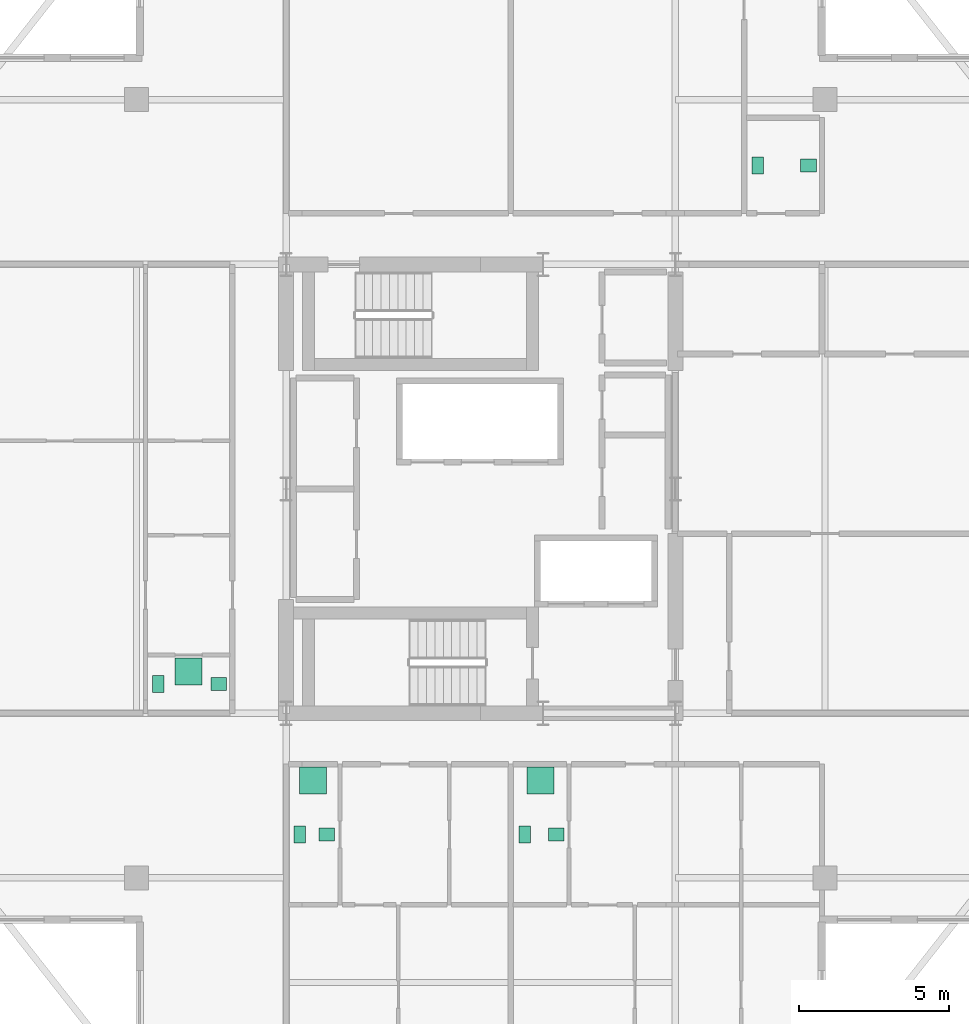
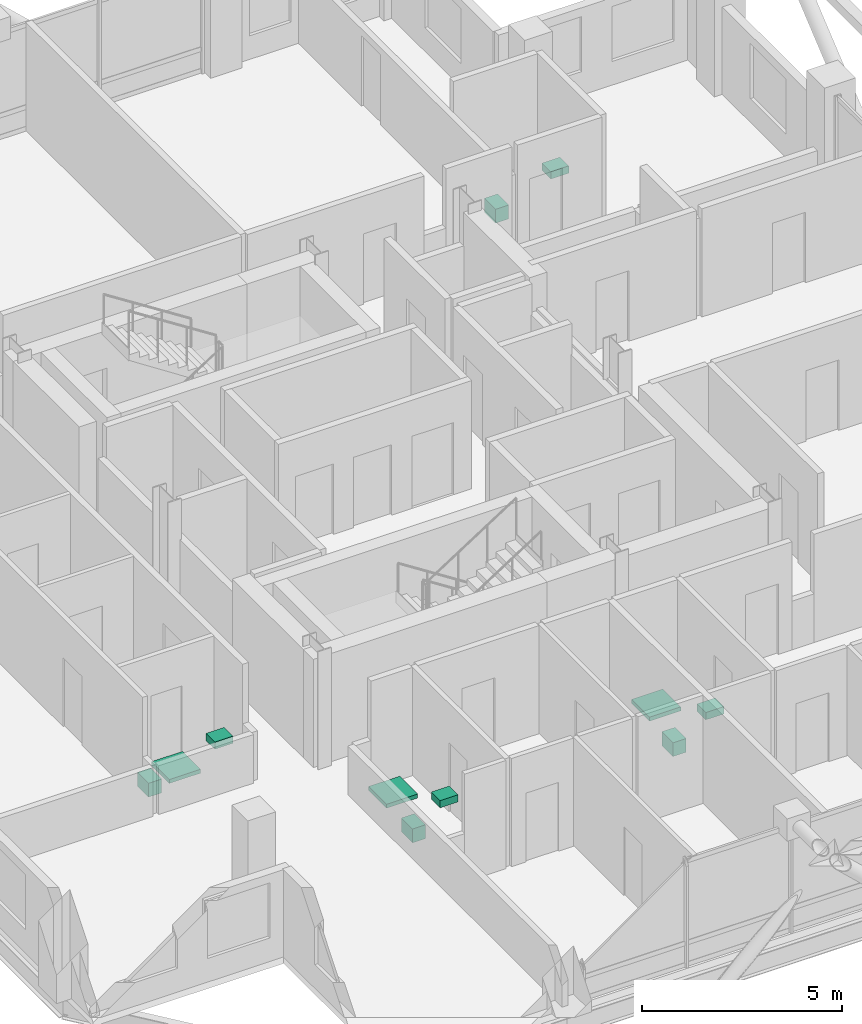
# One storey, part 25 of 25: 11 sanitary terminals.
"""IFC4 building model written with IfcOpenShell, lengths in metres."""

import ifcopenshell
import ifcopenshell.guid

model = None  # the IFC model being written
_history = None  # IfcOwnerHistory: only IFC2X3 demands one
_inside = {}  # id of a spatial element -> (the spatial element, [elements in it])
_under = {}  # id of a project, library or spatial element -> (it, [spatial elements below it])
_declared = {}  # id of a project -> (the project, [libraries it declares])
_typed = {}  # id of a type object -> (the type object, [elements of that type])
_made_of = {}  # id of a material, layer set ... -> (it, [elements and type objects made of it])


def new_model(schema):
    """Start an empty IFC model of exactly this schema.

    Asked for "IFC4X3", IfcOpenShell would pick the latest addendum, in which some entities
    have other attributes; the version numbers below select the first issue.
    IFC2X3 requires an IfcOwnerHistory on every rooted entity: one is made here for all.
    """
    global model, _history
    if schema == "IFC4X3":
        model = ifcopenshell.file(schema_version=(4, 3, 0, 0))
    else:
        model = ifcopenshell.file(schema=schema)
    _inside.clear()
    _under.clear()
    _declared.clear()
    _typed.clear()
    _made_of.clear()
    _history = None
    if model.schema == "IFC2X3":
        org = make("IfcOrganization", Name="unknown")
        user = make(
            "IfcPersonAndOrganization",
            ThePerson=make("IfcPerson", FamilyName="unknown"),
            TheOrganization=org,
        )
        app = make(
            "IfcApplication",
            ApplicationDeveloper=org,
            Version="unknown",
            ApplicationFullName="unknown",
            ApplicationIdentifier="unknown",
        )
        _history = make(
            "IfcOwnerHistory",
            OwningUser=user,
            OwningApplication=app,
            ChangeAction="ADDED",
            CreationDate=0,
        )
    return model


def make(cls, **values):
    """One entity of the class cls with the attributes given. An attribute that is None is left unset."""
    return model.create_entity(
        cls, **{name: value for name, value in values.items() if value is not None}
    )


def rooted(cls, **values):
    """An entity with a GlobalId (a new one), such as an element, a storey or a relation."""
    return make(cls, GlobalId=ifcopenshell.guid.new(), OwnerHistory=_history, **values)


def si_unit(unit_type, name, prefix=None):
    """IfcSIUnit, for example si_unit("LENGTHUNIT", "METRE", prefix="MILLI")."""
    return make("IfcSIUnit", UnitType=unit_type, Prefix=prefix, Name=name)


def assignment(units):
    """IfcUnitAssignment: the units of a project."""
    return None if units is None else make("IfcUnitAssignment", Units=units)


def point(xyz):
    """IfcCartesianPoint."""
    return None if xyz is None else make("IfcCartesianPoint", Coordinates=xyz)


def direction(xyz):
    """IfcDirection."""
    return None if xyz is None else make("IfcDirection", DirectionRatios=xyz)


def frame(location, z_axis=None, x_axis=None):
    """IfcAxis2Placement3D, a coordinate frame: its origin and axes. An axis left out is left unset."""
    return make(
        "IfcAxis2Placement3D",
        Location=point(location),
        Axis=direction(z_axis),
        RefDirection=direction(x_axis),
    )


def frame_2d(location, x_axis=None):
    """IfcAxis2Placement2D, a coordinate frame in the plane: its origin and x axis."""
    return make(
        "IfcAxis2Placement2D", Location=point(location), RefDirection=direction(x_axis)
    )


def origin():
    """The frame at (0, 0, 0) with its axes left unset."""
    return frame((0.0, 0.0, 0.0))


def origin_2d():
    """The frame at (0, 0) in the plane with its x axis left unset."""
    return frame_2d((0.0, 0.0))


def place(relative_to, where):
    """IfcLocalPlacement: puts the frame where relative to a parent placement (None: the world)."""
    return make(
        "IfcLocalPlacement", PlacementRelTo=relative_to, RelativePlacement=where
    )


def context(
    kind, dimensions, precision=None, world=None, true_north=None, identifier=None
):
    """IfcGeometricRepresentationContext, for example the 3D "Model" context."""
    return make(
        "IfcGeometricRepresentationContext",
        ContextIdentifier=identifier,
        ContextType=kind,
        CoordinateSpaceDimension=dimensions,
        Precision=precision,
        WorldCoordinateSystem=world,
        TrueNorth=true_north,
    )


def subcontext(parent, identifier, kind, view, scale=None):
    """IfcGeometricRepresentationSubContext, for example "Body" below "Model"."""
    return make(
        "IfcGeometricRepresentationSubContext",
        ContextIdentifier=identifier,
        ContextType=kind,
        ParentContext=parent,
        TargetScale=scale,
        TargetView=view,
    )


def project(units=None, contexts=None):
    """IfcProject with its units and contexts."""
    return rooted(
        "IfcProject",
        Name="project",
        RepresentationContexts=contexts,
        UnitsInContext=assignment(units),
    )


def spatial(cls, under=None, at=None, **own):
    """A site, building, storey or space (cls), placed at a placement, below another one or the project."""
    s = rooted(cls, ObjectPlacement=at, **own)
    if under is not None:
        _under.setdefault(under.id(), (under, []))[1].append(s)
    return s


def profile(cls, at=None, kind="AREA", **sizes):
    """A parametric profile (cls). Its sizes go by their IFC names, for example OverallWidth=200.0."""
    return make(cls, ProfileType=kind, Position=at, **sizes)


def rectangle(**sizes):
    """IfcRectangleProfileDef."""
    return profile("IfcRectangleProfileDef", **sizes)


def extrude(swept, where, along, depth):
    """IfcExtrudedAreaSolid: the profile swept, set in the frame where, extruded along a direction by depth."""
    return make(
        "IfcExtrudedAreaSolid",
        SweptArea=swept,
        Position=where,
        ExtrudedDirection=direction(along),
        Depth=depth,
    )


def shape(context_of_items, identifier, shape_type, items):
    """IfcShapeRepresentation: the items that make up one representation, for example the "Body"."""
    return make(
        "IfcShapeRepresentation",
        ContextOfItems=context_of_items,
        RepresentationIdentifier=identifier,
        RepresentationType=shape_type,
        Items=items,
    )


def material(Name=None, Category=None):
    """IfcMaterial."""
    return make("IfcMaterial", Name=Name, Category=Category)


def made_of(thing, what):
    """Note that an element or type object is made of a material, layer set ...; save() writes the relation."""
    if what is not None:
        _made_of.setdefault(what.id(), (what, []))[1].append(thing)
    return thing


def type_object(cls, material=None, **own):
    """A type object (cls), such as IfcWallType, which elements share."""
    return made_of(rooted(cls, **own), material)


def element(
    cls,
    number,
    at=None,
    inside=None,
    cuts=None,
    type_object=None,
    material=None,
    context=None,
    identifier="Body",
    shape_type=None,
    held_by="IfcProductDefinitionShape",
    body=None,
    shapes=None,
    **own,
):
    """One element of the class cls, such as IfcWall. Its Tag is "e" and its number.

    at: its placement. inside: the storey or other place that contains it. cuts: it is an
    opening in that element (IfcRelVoidsElement). A single representation is given by context,
    identifier, shape_type and body (its items); several are given by shapes. held_by: the class
    of the entity that holds the representations. save() writes the other relations.
    """
    e = rooted(cls, Tag="e%d" % number, ObjectPlacement=at, **own)
    if body is not None:
        shapes = [shape(context, identifier, shape_type, body)]
    if shapes is not None:
        e.Representation = make(held_by, Representations=shapes)
    if inside is not None:
        _inside.setdefault(inside.id(), (inside, []))[1].append(e)
    if cuts is not None:
        rooted(
            "IfcRelVoidsElement", RelatingBuildingElement=cuts, RelatedOpeningElement=e
        )
    if type_object is not None:
        _typed.setdefault(type_object.id(), (type_object, []))[1].append(e)
    return made_of(e, material)


def aggregate(whole, parts):
    """IfcRelAggregates: a whole, such as a stair, and the parts it consists of."""
    return rooted("IfcRelAggregates", RelatingObject=whole, RelatedObjects=parts)


def save(model, path):
    """Write the relations noted so far, then the file.

    IfcRelAggregates (storeys below a building ...), IfcRelContainedInSpatialStructure (elements
    in a storey), IfcRelDefinesByType, IfcRelAssociatesMaterial and IfcRelDeclares: one each for
    every whole, place, type object, material and project.
    """
    for whole, parts in _under.values():
        aggregate(whole, parts)
    for where, things in _inside.values():
        rooted(
            "IfcRelContainedInSpatialStructure",
            RelatedElements=things,
            RelatingStructure=where,
        )
    for kind, things in _typed.values():
        rooted("IfcRelDefinesByType", RelatedObjects=things, RelatingType=kind)
    for what, things in _made_of.values():
        rooted("IfcRelAssociatesMaterial", RelatedObjects=things, RelatingMaterial=what)
    for by, libraries in _declared.values():
        rooted("IfcRelDeclares", RelatingContext=by, RelatedDefinitions=libraries)
    model.write(path)


model = new_model("IFC4")

# Units and contexts
model_context = context("Model", 3, precision=1e-05, world=origin(), true_north=direction((0.0, 1.0)))
body_context = subcontext(model_context, "Body", "Model", "MODEL_VIEW")
ifc_project = project(units=[si_unit("LENGTHUNIT", "METRE"), si_unit("AREAUNIT", "SQUARE_METRE"), si_unit("VOLUMEUNIT", "CUBIC_METRE"), si_unit("PLANEANGLEUNIT", "RADIAN"), si_unit("MASSUNIT", "GRAM", prefix="KILO")], contexts=[model_context])

# Site, building, storey
site_placement = place(None, origin())
site = spatial("IfcSite", under=ifc_project, at=site_placement, CompositionType="ELEMENT")
building_placement = place(site_placement, origin())
building = spatial("IfcBuilding", under=site, at=building_placement, Name="Barlavira Tower and Art Museum", CompositionType="ELEMENT")
storey_placement = place(building_placement, frame((0.0, 0.0, 301.5)))
storey = spatial("IfcBuildingStorey", under=building, at=storey_placement, Name="L79", CompositionType="ELEMENT", Elevation=301.5)

# Sanitary terminals
ifc_material = material(Name="Vitreous glazed ceramic", Category="ceramic")
sanitary_terminal_type_1 = type_object("IfcSanitaryTerminalType", Name="Countertop Ceramic Wash Hand Basin", PredefinedType="WASHHANDBASIN", material=ifc_material)
for number, where, z_axis, x_axis, name in (
    (1, (-5.14990234375, -11.550048828125, 0.740234375), (0.0, 0.0, 1.0), (1.0, 0.0, 0.0), "L79-S1-BTH1 Wash Basin"),
    (2, (2.52001953125, -11.550048828125, 0.740234375), (0.0, 0.0, 1.0), (1.0, 0.0, 0.0), "L79-S2-BTH1 Wash Basin"),
    (3, (10.949951171875, 10.800048828125, 0.740234375), (0.0, 0.0, 1.0), (1.0, 0.0, 0.0), "L79-N-SWC Wash Basin"),
    (4, (-8.75, -6.52490234375, 0.740234375), (0.0, 0.0, 1.0), (1.0, 0.0, 0.0), "L79-W1-BTH1 Wash Basin"),
):
    element("IfcSanitaryTerminal", number, at=place(storey_placement, frame(where, z_axis=z_axis, x_axis=x_axis)), inside=storey, type_object=sanitary_terminal_type_1, Name=name, PredefinedType="WASHHANDBASIN", context=body_context, shape_type="SweptSolid", body=[
        extrude(rectangle(XDim=0.52001953125, YDim=0.43994140625, at=origin_2d()), origin(), (0.0, 0.0, 1.0), 0.219970703125),
    ])
sanitary_terminal_type_2 = type_object("IfcSanitaryTerminalType", Name="Walk-In Thermostatic Rain Shower Unit", PredefinedType="SHOWER", material=ifc_material)
for number, where, z_axis, x_axis, name in (
    (5, (-5.60009765625, -9.75, 0.0), (0.0, 0.0, 1.0), (1.0, 0.0, 0.0), "L79-S1-BTH1 Rain Shower"),
    (6, (1.9951171875, -9.75, 0.0), (0.0, 0.0, 1.0), (1.0, 0.0, 0.0), "L79-S2-BTH1 Rain Shower"),
    (7, (-9.760009765625, -6.10009765625, 0.0), (0.0, 0.0, 1.0), (1.0, 0.0, 0.0), "L79-W1-BTH1 Rain Shower"),
):
    element("IfcSanitaryTerminal", number, at=place(storey_placement, frame(where, z_axis=z_axis, x_axis=x_axis)), inside=storey, type_object=sanitary_terminal_type_2, Name=name, PredefinedType="SHOWER", context=body_context, shape_type="SweptSolid", body=[
        extrude(rectangle(XDim=0.89990234375, YDim=0.89990234375, at=origin_2d()), origin(), (0.0, 0.0, 1.0), 0.1201171875),
    ])
sanitary_terminal_type_3 = type_object("IfcSanitaryTerminalType", Name="Wall-Hung Dual-Flush Vitreous WC Pan", PredefinedType="TOILETPAN", material=ifc_material)
for number, where, z_axis, x_axis, name in (
    (8, (-6.050048828125, -11.550048828125, 0.0), (0.0, 0.0, 1.0), (1.0, 0.0, 0.0), "L79-S1-BTH1 WC Pan"),
    (9, (1.469970703125, -11.550048828125, 0.0), (0.0, 0.0, 1.0), (1.0, 0.0, 0.0), "L79-S2-BTH1 WC Pan"),
    (10, (9.25, 10.800048828125, 0.0), (0.0, 0.0, 1.0), (1.0, 0.0, 0.0), "L79-N-SWC WC Pan"),
    (11, (-10.77001953125, -6.52490234375, 0.0), (0.0, 0.0, 1.0), (1.0, 0.0, 0.0), "L79-W1-BTH1 WC Pan"),
):
    element("IfcSanitaryTerminal", number, at=place(storey_placement, frame(where, z_axis=z_axis, x_axis=x_axis)), inside=storey, type_object=sanitary_terminal_type_3, Name=name, PredefinedType="TOILETPAN", context=body_context, shape_type="SweptSolid", body=[
        extrude(rectangle(XDim=0.3798828125, YDim=0.56005859375, at=origin_2d()), origin(), (0.0, 0.0, 1.0), 0.419921875),
    ])

save(model, "model.ifc")
